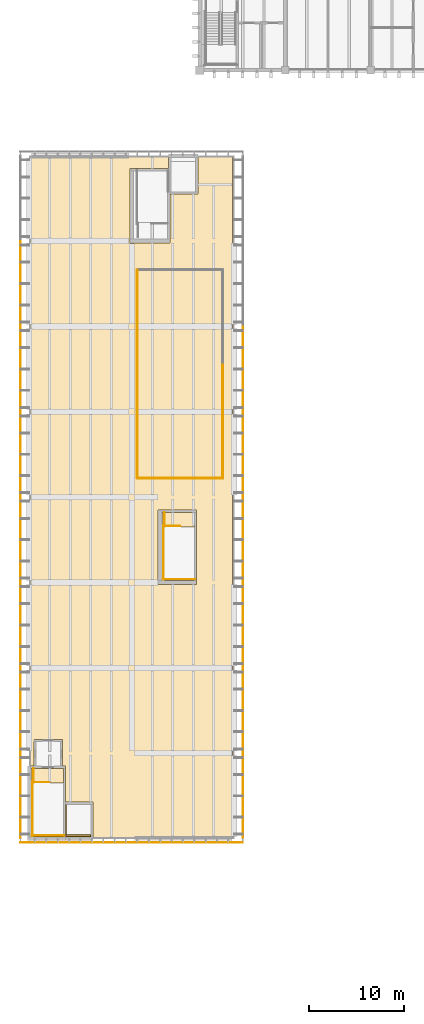
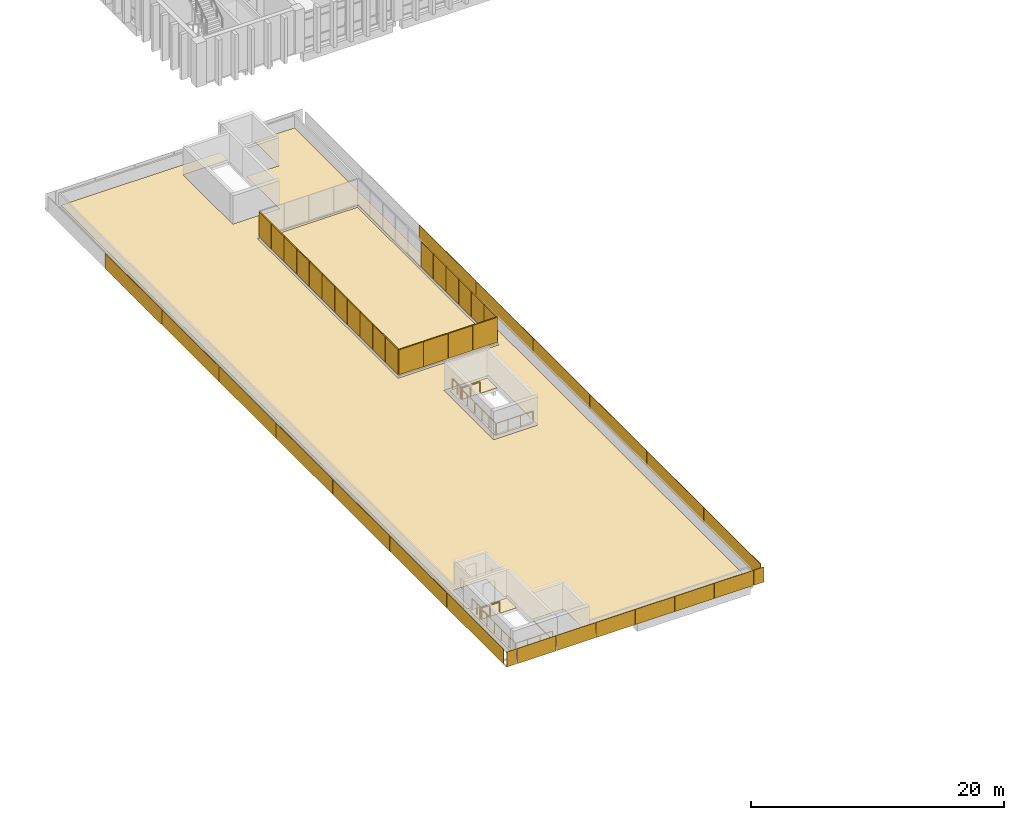
# One storey, part 24 of 29: 26 coverings, 21 shading devices, 8 railings.
"""IFC4 building model written with IfcOpenShell, lengths in metres."""

from ifc_helpers import new_model, si_unit, direction, frame, origin, origin_2d, place, context, subcontext, project, spatial, polyline, rectangle, circle, outline, extrude, source, transform, mapped, material, layer, layer_set, type_object, element, save


model = new_model("IFC4")

# Units and contexts
model_context = context("Model", 3, precision=1e-05, world=origin(), true_north=direction((0.0, 1.0)))
body_context = subcontext(model_context, "Body", "Model", "MODEL_VIEW")
ifc_project = project(units=[si_unit("LENGTHUNIT", "METRE"), si_unit("AREAUNIT", "SQUARE_METRE"), si_unit("VOLUMEUNIT", "CUBIC_METRE"), si_unit("PLANEANGLEUNIT", "RADIAN"), si_unit("MASSUNIT", "GRAM", prefix="KILO")], contexts=[model_context])

# Site, building, storey
site_placement = place(None, origin())
site = spatial("IfcSite", under=ifc_project, at=site_placement, CompositionType="ELEMENT")
building_placement = place(site_placement, origin())
building = spatial("IfcBuilding", under=site, at=building_placement, Name="Merrow Basin Faculty of Sciences", CompositionType="ELEMENT")
storey_placement = place(building_placement, frame((0.0, 0.0, 22.5)))
storey = spatial("IfcBuildingStorey", under=building, at=storey_placement, Name="L05", CompositionType="ELEMENT", Elevation=22.5)

# Shading devices
ifc_material_1 = material(Name="Aluminium alloy 6063", Category="aluminium")
ifc_layer_1 = layer(ifc_material_1, 0.10009765625)
ifc_layer_set_1 = layer_set([ifc_layer_1], Name="Louvre screen 2000 x 2400")
shading_device_type = type_object("IfcShadingDeviceType", Name="Louvre screen 2000 x 2400", PredefinedType="USERDEFINED", material=ifc_layer_set_1)
for number, where, z_axis, x_axis, name in (
    (1, (12.52490234375, 99.0, 0.300048828125), (0.0, 0.0, 1.0), (1.0, 0.0, 0.0), "Plant louvre screen"),
    (2, (14.77490234375, 99.0, 0.300048828125), (0.0, 0.0, 1.0), (1.0, 0.0, 0.0), "Plant louvre screen"),
    (3, (17.02490234375, 99.0, 0.300048828125), (0.0, 0.0, 1.0), (1.0, 0.0, 0.0), "Plant louvre screen"),
    (4, (19.27490234375, 99.0, 0.300048828125), (0.0, 0.0, 1.0), (1.0, 0.0, 0.0), "Plant louvre screen"),
):
    element("IfcShadingDevice", number, at=place(storey_placement, frame(where, z_axis=z_axis, x_axis=x_axis)), inside=storey, type_object=shading_device_type, Name=name, ObjectType="LOUVRE SCREEN", PredefinedType="USERDEFINED", context=body_context, shape_type="SweptSolid", body=[
        extrude(rectangle(XDim=2.2099609375, YDim=0.10009765625, at=origin_2d()), origin(), (0.0, 0.0, 1.0), 2.39990234375),
    ])
for number, where, z_axis, x_axis, name in (
    (5, (20.39990234375, 100.0, 0.300048828125), (0.0, 0.0, 1.0), (0.0, 1.0, 0.0), "Plant louvre screen"),
    (6, (20.39990234375, 102.0, 0.300048828125), (0.0, 0.0, 1.0), (0.0, 1.0, 0.0), "Plant louvre screen"),
    (7, (20.39990234375, 104.0, 0.300048828125), (0.0, 0.0, 1.0), (0.0, 1.0, 0.0), "Plant louvre screen"),
    (8, (20.39990234375, 106.0, 0.300048828125), (0.0, 0.0, 1.0), (0.0, 1.0, 0.0), "Plant louvre screen"),
    (9, (20.39990234375, 108.0, 0.300048828125), (0.0, 0.0, 1.0), (0.0, 1.0, 0.0), "Plant louvre screen"),
    (10, (20.39990234375, 110.0, 0.300048828125), (0.0, 0.0, 1.0), (0.0, 1.0, 0.0), "Plant louvre screen"),
    (11, (11.39990234375, 120.0, 0.300048828125), (0.0, 0.0, 1.0), (0.0, 1.0, 0.0), "Plant louvre screen"),
    (12, (11.39990234375, 118.0, 0.300048828125), (0.0, 0.0, 1.0), (0.0, 1.0, 0.0), "Plant louvre screen"),
    (13, (11.39990234375, 116.0, 0.300048828125), (0.0, 0.0, 1.0), (0.0, 1.0, 0.0), "Plant louvre screen"),
    (14, (11.39990234375, 114.0, 0.300048828125), (0.0, 0.0, 1.0), (0.0, 1.0, 0.0), "Plant louvre screen"),
    (15, (11.39990234375, 112.0, 0.300048828125), (0.0, 0.0, 1.0), (0.0, 1.0, 0.0), "Plant louvre screen"),
    (16, (11.39990234375, 110.0, 0.300048828125), (0.0, 0.0, 1.0), (0.0, 1.0, 0.0), "Plant louvre screen"),
    (17, (11.39990234375, 108.0, 0.300048828125), (0.0, 0.0, 1.0), (0.0, 1.0, 0.0), "Plant louvre screen"),
    (18, (11.39990234375, 106.0, 0.300048828125), (0.0, 0.0, 1.0), (0.0, 1.0, 0.0), "Plant louvre screen"),
    (19, (11.39990234375, 104.0, 0.300048828125), (0.0, 0.0, 1.0), (0.0, 1.0, 0.0), "Plant louvre screen"),
    (20, (11.39990234375, 102.0, 0.300048828125), (0.0, 0.0, 1.0), (0.0, 1.0, 0.0), "Plant louvre screen"),
    (21, (11.39990234375, 100.0, 0.300048828125), (0.0, 0.0, 1.0), (0.0, 1.0, 0.0), "Plant louvre screen"),
):
    element("IfcShadingDevice", number, at=place(storey_placement, frame(where, z_axis=z_axis, x_axis=x_axis)), inside=storey, type_object=shading_device_type, Name=name, ObjectType="LOUVRE SCREEN", PredefinedType="USERDEFINED", context=body_context, shape_type="SweptSolid", body=[
        extrude(rectangle(XDim=1.9599609375, YDim=0.10009765625, at=origin_2d()), origin(), (0.0, 0.0, 1.0), 2.39990234375),
    ])

# Coverings
ifc_material_2 = material(Name="Bituminous roofing membrane")
ifc_layer_2 = layer(ifc_material_2, 0.0400390625)
ifc_layer_set_2 = layer_set([ifc_layer_2], Name="Roofing membrane 40")
covering_type_1 = type_object("IfcCoveringType", Name="Roofing membrane 40", PredefinedType="ROOFING", material=ifc_layer_set_2)
covering_1_placement = place(storey_placement, origin())
element("IfcCovering", 22, at=covering_1_placement, inside=storey, type_object=covering_type_1, Name="Roofing membrane", PredefinedType="ROOFING", context=body_context, shape_type="SweptSolid", body=[
    extrude(outline(polyline([(21.449951171875, 132.85009765625), (21.449951171875, 61.14990234375), (6.75, 61.14990234375), (6.75, 61.199951171875), (6.75, 64.60009765625), (6.75, 64.85009765625), (3.85009765625, 64.85009765625), (3.85009765625, 68.39990234375), (3.85009765625, 68.64990234375), (3.5, 68.64990234375), (3.5, 71.25), (3.5, 71.449951171875), (0.5, 71.449951171875), (0.5, 71.25), (0.5, 68.64990234375), (0.199951171875, 68.64990234375), (0.14990234375, 68.64990234375), (0.14990234375, 132.85009765625), (14.699951171875, 132.85009765625), (14.699951171875, 132.800048828125), (14.699951171875, 131.64990234375), (11.0, 131.64990234375), (10.800048828125, 131.64990234375), (10.60009765625, 131.64990234375), (10.60009765625, 124.199951171875), (10.60009765625, 123.800048828125), (14.85009765625, 123.800048828125), (14.85009765625, 124.199951171875), (14.85009765625, 128.949951171875), (17.800048828125, 128.949951171875), (17.800048828125, 129.199951171875), (17.800048828125, 132.800048828125), (17.800048828125, 132.85009765625), (21.449951171875, 132.85009765625)]), holes=[polyline([(14.0, 95.64990234375), (13.949951171875, 95.64990234375), (13.60009765625, 95.64990234375), (13.60009765625, 88.199951171875), (13.60009765625, 87.800048828125), (17.64990234375, 87.800048828125), (17.64990234375, 88.199951171875), (17.64990234375, 95.39990234375), (17.64990234375, 95.64990234375), (14.0, 95.64990234375)]), polyline([(11.300048828125, 121.10009765625), (11.300048828125, 98.89990234375), (20.5, 98.89990234375), (20.5, 121.10009765625), (11.300048828125, 121.10009765625)])]), origin(), (0.0, 0.0, 1.0), 0.0400390625),
])
covering_2_placement = place(storey_placement, origin())
element("IfcCovering", 23, at=covering_2_placement, inside=storey, type_object=covering_type_1, Name="Roofing membrane", PredefinedType="ROOFING", context=body_context, shape_type="SweptSolid", body=[
    extrude(outline(polyline([(11.5, 120.89990234375), (20.300048828125, 120.89990234375), (20.300048828125, 99.10009765625), (11.5, 99.10009765625), (11.5, 120.89990234375)])), origin(), (0.0, 0.0, 1.0), 0.0400390625),
])
covering_3_placement = place(storey_placement, origin())
element("IfcCovering", 24, at=covering_3_placement, inside=storey, type_object=covering_type_1, Name="Roofing membrane", PredefinedType="ROOFING", context=body_context, shape_type="SweptSolid", body=[
    extrude(outline(polyline([(14.0, 95.39990234375), (17.39990234375, 95.39990234375), (17.39990234375, 93.85009765625), (14.199951171875, 93.85009765625), (14.199951171875, 88.39990234375), (17.39990234375, 88.39990234375), (17.39990234375, 88.199951171875), (14.0, 88.199951171875), (14.0, 95.39990234375)])), origin(), (0.0, 0.0, 1.0), 0.0400390625),
])
covering_4_placement = place(storey_placement, origin())
element("IfcCovering", 25, at=covering_4_placement, inside=storey, type_object=covering_type_1, Name="Roofing membrane", PredefinedType="ROOFING", context=body_context, shape_type="SweptSolid", body=[
    extrude(outline(polyline([(0.39990234375, 61.39990234375), (3.60009765625, 61.39990234375), (3.60009765625, 61.199951171875), (0.199951171875, 61.199951171875), (0.199951171875, 68.39990234375), (3.60009765625, 68.39990234375), (3.60009765625, 66.85009765625), (0.39990234375, 66.85009765625), (0.39990234375, 61.39990234375)])), origin(), (0.0, 0.0, 1.0), 0.0400390625),
])
covering_5_placement = place(storey_placement, origin())
element("IfcCovering", 26, at=covering_5_placement, inside=storey, type_object=covering_type_1, Name="Roofing membrane", PredefinedType="ROOFING", context=body_context, shape_type="SweptSolid", body=[
    extrude(outline(polyline([(3.89990234375, 61.39990234375), (6.5, 61.39990234375), (6.5, 61.199951171875), (3.85009765625, 61.199951171875), (3.85009765625, 64.60009765625), (3.89990234375, 64.60009765625), (3.89990234375, 61.39990234375)])), origin(), (0.0, 0.0, 1.0), 0.0400390625),
])

# Railings
ifc_material_3 = material(Name="Steel ASTM A36", Category="steel")
railing_type = type_object("IfcRailingType", Name="Steel guard 1100", PredefinedType="GUARDRAIL", material=ifc_material_3)
railing_1_placement = place(storey_placement, frame((0.39990234375, 66.949951171875, 0.0)))
element("IfcRailing", 27, at=railing_1_placement, inside=storey, type_object=railing_type, Name="L05 ST-V4-S top well guard 1", PredefinedType="GUARDRAIL", context=body_context, shape_type="SweptSolid", body=[
    extrude(circle(Radius=0.02392578125, at=origin_2d()), frame((0.0, 0.0, 1.076171875), z_axis=(1.0, 0.0, 0.0), x_axis=(0.0, 1.0, 0.0)), (0.0, 0.0, 1.0), 1.7001953125),
    extrude(circle(Radius=0.02099609375, at=origin_2d()), origin(), (0.0, 0.0, 1.0), 1.052001953125),
    extrude(circle(Radius=0.02099609375, at=origin_2d()), frame((0.85009765625, 0.0, 0.0)), (0.0, 0.0, 1.0), 1.052001953125),
    extrude(circle(Radius=0.02099609375, at=origin_2d()), frame((1.7001953125, 0.0, 0.0)), (0.0, 0.0, 1.0), 1.052001953125),
])
railing_2_placement = place(storey_placement, frame((0.35009765625, 67.0, 0.0)))
element("IfcRailing", 28, at=railing_2_placement, inside=storey, type_object=railing_type, Name="L05 ST-V4-S top well guard 2", PredefinedType="GUARDRAIL", context=body_context, shape_type="SweptSolid", body=[
    extrude(circle(Radius=0.02392578125, at=origin_2d()), frame((0.0, 0.0, 1.076171875), z_axis=(0.0, -1.0, 0.0), x_axis=(1.0, 0.0, 0.0)), (0.0, 0.0, 1.0), 5.699951171875),
    extrude(circle(Radius=0.02099609375, at=origin_2d()), origin(), (0.0, 0.0, 1.0), 1.052001953125),
    extrude(circle(Radius=0.02099609375, at=origin_2d()), frame((0.0, -1.139892578125, 0.0)), (0.0, 0.0, 1.0), 1.052001953125),
    extrude(circle(Radius=0.02099609375, at=origin_2d()), frame((0.0, -2.280029296875, 0.0)), (0.0, 0.0, 1.0), 1.052001953125),
    extrude(circle(Radius=0.02099609375, at=origin_2d()), frame((0.0, -3.419921875, 0.0)), (0.0, 0.0, 1.0), 1.052001953125),
    extrude(circle(Radius=0.02099609375, at=origin_2d()), frame((0.0, -4.56005859375, 0.0)), (0.0, 0.0, 1.0), 1.052001953125),
    extrude(circle(Radius=0.02099609375, at=origin_2d()), frame((0.0, -5.699951171875, 0.0)), (0.0, 0.0, 1.0), 1.052001953125),
])
railing_3_placement = place(storey_placement, frame((0.300048828125, 61.35009765625, 0.0)))
element("IfcRailing", 29, at=railing_3_placement, inside=storey, type_object=railing_type, Name="L05 ST-V4-S top well guard 3", PredefinedType="GUARDRAIL", context=body_context, shape_type="SweptSolid", body=[
    extrude(circle(Radius=0.02392578125, at=origin_2d()), frame((0.0, 0.0, 1.076171875), z_axis=(1.0, 0.0, 0.0), x_axis=(0.0, 1.0, 0.0)), (0.0, 0.0, 1.0), 3.39990234375),
    extrude(circle(Radius=0.02099609375, at=origin_2d()), origin(), (0.0, 0.0, 1.0), 1.052001953125),
    extrude(circle(Radius=0.02099609375, at=origin_2d()), frame((1.13330078125, 0.0, 0.0)), (0.0, 0.0, 1.0), 1.052001953125),
    extrude(circle(Radius=0.02099609375, at=origin_2d()), frame((2.2666015625, 0.0, 0.0)), (0.0, 0.0, 1.0), 1.052001953125),
    extrude(circle(Radius=0.02099609375, at=origin_2d()), frame((3.39990234375, 0.0, 0.0)), (0.0, 0.0, 1.0), 1.052001953125),
])
railing_4_placement = place(storey_placement, frame((0.449951171875, 68.39990234375, 0.0)))
element("IfcRailing", 30, at=railing_4_placement, inside=storey, type_object=railing_type, Name="L05 ST-V4-S top well guard 4", PredefinedType="GUARDRAIL", context=body_context, shape_type="SweptSolid", body=[
    extrude(circle(Radius=0.02392578125, at=origin_2d()), frame((0.0, 0.0, 1.076171875), z_axis=(0.0, -1.0, 0.0), x_axis=(1.0, 0.0, 0.0)), (0.0, 0.0, 1.0), 1.5),
    extrude(circle(Radius=0.02099609375, at=origin_2d()), origin(), (0.0, 0.0, 1.0), 1.052001953125),
    extrude(circle(Radius=0.02099609375, at=origin_2d()), frame((0.0, -0.75, 0.0)), (0.0, 0.0, 1.0), 1.052001953125),
    extrude(circle(Radius=0.02099609375, at=origin_2d()), frame((0.0, -1.5, 0.0)), (0.0, 0.0, 1.0), 1.052001953125),
])
railing_5_placement = place(storey_placement, frame((14.199951171875, 93.949951171875, 0.0)))
element("IfcRailing", 31, at=railing_5_placement, inside=storey, type_object=railing_type, Name="L05 ST-V4-M top well guard 1", PredefinedType="GUARDRAIL", context=body_context, shape_type="SweptSolid", body=[
    extrude(circle(Radius=0.02392578125, at=origin_2d()), frame((0.0, 0.0, 1.076171875), z_axis=(1.0, 0.0, 0.0), x_axis=(0.0, 1.0, 0.0)), (0.0, 0.0, 1.0), 1.699951171875),
    extrude(circle(Radius=0.02099609375, at=origin_2d()), origin(), (0.0, 0.0, 1.0), 1.052001953125),
    extrude(circle(Radius=0.02099609375, at=origin_2d()), frame((0.85009765625, 0.0, 0.0)), (0.0, 0.0, 1.0), 1.052001953125),
    extrude(circle(Radius=0.02099609375, at=origin_2d()), frame((1.699951171875, 0.0, 0.0)), (0.0, 0.0, 1.0), 1.052001953125),
])
railing_6_placement = place(storey_placement, frame((14.14990234375, 94.0, 0.0)))
element("IfcRailing", 32, at=railing_6_placement, inside=storey, type_object=railing_type, Name="L05 ST-V4-M top well guard 2", PredefinedType="GUARDRAIL", context=body_context, shape_type="SweptSolid", body=[
    extrude(circle(Radius=0.02392578125, at=origin_2d()), frame((0.0, 0.0, 1.076171875), z_axis=(0.0, -1.0, 0.0), x_axis=(1.0, 0.0, 0.0)), (0.0, 0.0, 1.0), 5.699951171875),
    extrude(circle(Radius=0.02099609375, at=origin_2d()), origin(), (0.0, 0.0, 1.0), 1.052001953125),
    extrude(circle(Radius=0.02099609375, at=origin_2d()), frame((0.0, -1.139892578125, 0.0)), (0.0, 0.0, 1.0), 1.052001953125),
    extrude(circle(Radius=0.02099609375, at=origin_2d()), frame((0.0, -2.280029296875, 0.0)), (0.0, 0.0, 1.0), 1.052001953125),
    extrude(circle(Radius=0.02099609375, at=origin_2d()), frame((0.0, -3.419921875, 0.0)), (0.0, 0.0, 1.0), 1.052001953125),
    extrude(circle(Radius=0.02099609375, at=origin_2d()), frame((0.0, -4.56005859375, 0.0)), (0.0, 0.0, 1.0), 1.052001953125),
    extrude(circle(Radius=0.02099609375, at=origin_2d()), frame((0.0, -5.699951171875, 0.0)), (0.0, 0.0, 1.0), 1.052001953125),
])
railing_7_placement = place(storey_placement, frame((14.10009765625, 88.35009765625, 0.0)))
element("IfcRailing", 33, at=railing_7_placement, inside=storey, type_object=railing_type, Name="L05 ST-V4-M top well guard 3", PredefinedType="GUARDRAIL", context=body_context, shape_type="SweptSolid", body=[
    extrude(circle(Radius=0.02392578125, at=origin_2d()), frame((0.0, 0.0, 1.076171875), z_axis=(1.0, 0.0, 0.0), x_axis=(0.0, 1.0, 0.0)), (0.0, 0.0, 1.0), 3.39990234375),
    extrude(circle(Radius=0.02099609375, at=origin_2d()), origin(), (0.0, 0.0, 1.0), 1.052001953125),
    extrude(circle(Radius=0.02099609375, at=origin_2d()), frame((1.13330078125, 0.0, 0.0)), (0.0, 0.0, 1.0), 1.052001953125),
    extrude(circle(Radius=0.02099609375, at=origin_2d()), frame((2.2666015625, 0.0, 0.0)), (0.0, 0.0, 1.0), 1.052001953125),
    extrude(circle(Radius=0.02099609375, at=origin_2d()), frame((3.39990234375, 0.0, 0.0)), (0.0, 0.0, 1.0), 1.052001953125),
])
railing_8_placement = place(storey_placement, frame((14.25, 95.39990234375, 0.0)))
element("IfcRailing", 34, at=railing_8_placement, inside=storey, type_object=railing_type, Name="L05 ST-V4-M top well guard 4", PredefinedType="GUARDRAIL", context=body_context, shape_type="SweptSolid", body=[
    extrude(circle(Radius=0.02392578125, at=origin_2d()), frame((0.0, 0.0, 1.076171875), z_axis=(0.0, -1.0, 0.0), x_axis=(1.0, 0.0, 0.0)), (0.0, 0.0, 1.0), 1.5),
    extrude(circle(Radius=0.02099609375, at=origin_2d()), origin(), (0.0, 0.0, 1.0), 1.052001953125),
    extrude(circle(Radius=0.02099609375, at=origin_2d()), frame((0.0, -0.75, 0.0)), (0.0, 0.0, 1.0), 1.052001953125),
    extrude(circle(Radius=0.02099609375, at=origin_2d()), frame((0.0, -1.5, 0.0)), (0.0, 0.0, 1.0), 1.052001953125),
])

# Coverings
ifc_material_4 = material(Name="White powder-coated aluminium", Category="aluminium")
ifc_layer_3 = layer(ifc_material_4, 0.0400390625)
ifc_layer_set_3 = layer_set([ifc_layer_3], Name="Perforated panel 9000 x 1500")
covering_type_2 = type_object("IfcCoveringType", Name="Perforated panel 9000 x 1500", PredefinedType="CLADDING", material=ifc_layer_set_3)
shared_shape_1 = source(origin(), body_context, "Body", "SweptSolid", [
    extrude(outline(polyline([(0.02001953125, 0.02001953125), (8.97998046875, 0.02001953125), (8.97998046875, 1.47998046875), (0.02001953125, 1.47998046875), (0.02001953125, 0.02001953125)])), origin(), (0.0, 0.0, 1.0), 0.0400390625),
])
covering_6_placement = place(storey_placement, frame((-0.93994140625, 61.0, -0.320068359375), z_axis=(1.0, 0.0, 0.0), x_axis=(0.0, 1.0, 0.0)))
element("IfcCovering", 35, at=covering_6_placement, inside=storey, type_object=covering_type_2, Name="Perforated panel WL05-01", PredefinedType="CLADDING", context=body_context, shape_type="MappedRepresentation", body=[
    mapped(shared_shape_1, transform((0.0, 0.0, 0.0), scale=1.0)),
])
shared_shape_2 = source(origin(), body_context, "Body", "SweptSolid", [
    extrude(outline(polyline([(0.02001953125, 0.02001953125), (8.97998046875, 0.02001953125), (8.97998046875, 1.47998046875), (0.02001953125, 1.47998046875), (0.02001953125, 0.02001953125)])), origin(), (0.0, 0.0, 1.0), 0.0400390625),
])
covering_7_placement = place(storey_placement, frame((22.5400390625, 70.0, -0.320068359375), z_axis=(-1.0, 0.0, 0.0), x_axis=(0.0, -1.0, 0.0)))
element("IfcCovering", 36, at=covering_7_placement, inside=storey, type_object=covering_type_2, Name="Perforated panel EL05-01", PredefinedType="CLADDING", context=body_context, shape_type="MappedRepresentation", body=[
    mapped(shared_shape_2, transform((0.0, 0.0, 0.0), scale=1.0)),
])
shared_shape_3 = source(origin(), body_context, "Body", "SweptSolid", [
    extrude(outline(polyline([(0.02001953125, 0.02001953125), (8.97998046875, 0.02001953125), (8.97998046875, 1.47998046875), (0.02001953125, 1.47998046875), (0.02001953125, 0.02001953125)])), origin(), (0.0, 0.0, 1.0), 0.0400390625),
])
covering_8_placement = place(storey_placement, frame((-0.93994140625, 70.0, -0.320068359375), z_axis=(1.0, 0.0, 0.0), x_axis=(0.0, 1.0, 0.0)))
element("IfcCovering", 37, at=covering_8_placement, inside=storey, type_object=covering_type_2, Name="Perforated panel WL05-02", PredefinedType="CLADDING", context=body_context, shape_type="MappedRepresentation", body=[
    mapped(shared_shape_3, transform((0.0, 0.0, 0.0), scale=1.0)),
])
shared_shape_4 = source(origin(), body_context, "Body", "SweptSolid", [
    extrude(outline(polyline([(0.02001953125, 0.02001953125), (8.97998046875, 0.02001953125), (8.97998046875, 1.47998046875), (0.02001953125, 1.47998046875), (0.02001953125, 0.02001953125)])), origin(), (0.0, 0.0, 1.0), 0.0400390625),
])
covering_9_placement = place(storey_placement, frame((22.5400390625, 79.0, -0.320068359375), z_axis=(-1.0, 0.0, 0.0), x_axis=(0.0, -1.0, 0.0)))
element("IfcCovering", 38, at=covering_9_placement, inside=storey, type_object=covering_type_2, Name="Perforated panel EL05-02", PredefinedType="CLADDING", context=body_context, shape_type="MappedRepresentation", body=[
    mapped(shared_shape_4, transform((0.0, 0.0, 0.0), scale=1.0)),
])
shared_shape_5 = source(origin(), body_context, "Body", "SweptSolid", [
    extrude(outline(polyline([(0.02001953125, 0.02001953125), (8.97998046875, 0.02001953125), (8.97998046875, 1.47998046875), (0.02001953125, 1.47998046875), (0.02001953125, 0.02001953125)])), origin(), (0.0, 0.0, 1.0), 0.0400390625),
])
covering_10_placement = place(storey_placement, frame((-0.93994140625, 79.0, -0.320068359375), z_axis=(1.0, 0.0, 0.0), x_axis=(0.0, 1.0, 0.0)))
element("IfcCovering", 39, at=covering_10_placement, inside=storey, type_object=covering_type_2, Name="Perforated panel WL05-03", PredefinedType="CLADDING", context=body_context, shape_type="MappedRepresentation", body=[
    mapped(shared_shape_5, transform((0.0, 0.0, 0.0), scale=1.0)),
])
shared_shape_6 = source(origin(), body_context, "Body", "SweptSolid", [
    extrude(outline(polyline([(0.02001953125, 0.02001953125), (8.97998046875, 0.02001953125), (8.97998046875, 1.47998046875), (0.02001953125, 1.47998046875), (0.02001953125, 0.02001953125)])), origin(), (0.0, 0.0, 1.0), 0.0400390625),
])
covering_11_placement = place(storey_placement, frame((22.5400390625, 88.0, -0.320068359375), z_axis=(-1.0, 0.0, 0.0), x_axis=(0.0, -1.0, 0.0)))
element("IfcCovering", 40, at=covering_11_placement, inside=storey, type_object=covering_type_2, Name="Perforated panel EL05-03", PredefinedType="CLADDING", context=body_context, shape_type="MappedRepresentation", body=[
    mapped(shared_shape_6, transform((0.0, 0.0, 0.0), scale=1.0)),
])
shared_shape_7 = source(origin(), body_context, "Body", "SweptSolid", [
    extrude(outline(polyline([(0.02001953125, 0.02001953125), (8.97998046875, 0.02001953125), (8.97998046875, 1.47998046875), (0.02001953125, 1.47998046875), (0.02001953125, 0.02001953125)])), origin(), (0.0, 0.0, 1.0), 0.0400390625),
])
covering_12_placement = place(storey_placement, frame((-0.93994140625, 88.0, -0.320068359375), z_axis=(1.0, 0.0, 0.0), x_axis=(0.0, 1.0, 0.0)))
element("IfcCovering", 41, at=covering_12_placement, inside=storey, type_object=covering_type_2, Name="Perforated panel WL05-04", PredefinedType="CLADDING", context=body_context, shape_type="MappedRepresentation", body=[
    mapped(shared_shape_7, transform((0.0, 0.0, 0.0), scale=1.0)),
])
shared_shape_8 = source(origin(), body_context, "Body", "SweptSolid", [
    extrude(outline(polyline([(0.02001953125, 0.02001953125), (8.97998046875, 0.02001953125), (8.97998046875, 1.47998046875), (0.02001953125, 1.47998046875), (0.02001953125, 0.02001953125)])), origin(), (0.0, 0.0, 1.0), 0.0400390625),
])
covering_13_placement = place(storey_placement, frame((22.5400390625, 97.0, -0.320068359375), z_axis=(-1.0, 0.0, 0.0), x_axis=(0.0, -1.0, 0.0)))
element("IfcCovering", 42, at=covering_13_placement, inside=storey, type_object=covering_type_2, Name="Perforated panel EL05-04", PredefinedType="CLADDING", context=body_context, shape_type="MappedRepresentation", body=[
    mapped(shared_shape_8, transform((0.0, 0.0, 0.0), scale=1.0)),
])
shared_shape_9 = source(origin(), body_context, "Body", "SweptSolid", [
    extrude(outline(polyline([(0.02001953125, 0.02001953125), (8.97998046875, 0.02001953125), (8.97998046875, 1.47998046875), (0.02001953125, 1.47998046875), (0.02001953125, 0.02001953125)])), origin(), (0.0, 0.0, 1.0), 0.0400390625),
])
covering_14_placement = place(storey_placement, frame((-0.93994140625, 97.0, -0.320068359375), z_axis=(1.0, 0.0, 0.0), x_axis=(0.0, 1.0, 0.0)))
element("IfcCovering", 43, at=covering_14_placement, inside=storey, type_object=covering_type_2, Name="Perforated panel WL05-05", PredefinedType="CLADDING", context=body_context, shape_type="MappedRepresentation", body=[
    mapped(shared_shape_9, transform((0.0, 0.0, 0.0), scale=1.0)),
])
shared_shape_10 = source(origin(), body_context, "Body", "SweptSolid", [
    extrude(outline(polyline([(0.02001953125, 0.02001953125), (8.97998046875, 0.02001953125), (8.97998046875, 1.47998046875), (0.02001953125, 1.47998046875), (0.02001953125, 0.02001953125)])), origin(), (0.0, 0.0, 1.0), 0.0400390625),
])
covering_15_placement = place(storey_placement, frame((22.5400390625, 106.0, -0.320068359375), z_axis=(-1.0, 0.0, 0.0), x_axis=(0.0, -1.0, 0.0)))
element("IfcCovering", 44, at=covering_15_placement, inside=storey, type_object=covering_type_2, Name="Perforated panel EL05-05", PredefinedType="CLADDING", context=body_context, shape_type="MappedRepresentation", body=[
    mapped(shared_shape_10, transform((0.0, 0.0, 0.0), scale=1.0)),
])
shared_shape_11 = source(origin(), body_context, "Body", "SweptSolid", [
    extrude(outline(polyline([(0.02001953125, 0.02001953125), (8.97998046875, 0.02001953125), (8.97998046875, 1.47998046875), (0.02001953125, 1.47998046875), (0.02001953125, 0.02001953125)])), origin(), (0.0, 0.0, 1.0), 0.0400390625),
])
covering_16_placement = place(storey_placement, frame((-0.93994140625, 106.0, -0.320068359375), z_axis=(1.0, 0.0, 0.0), x_axis=(0.0, 1.0, 0.0)))
element("IfcCovering", 45, at=covering_16_placement, inside=storey, type_object=covering_type_2, Name="Perforated panel WL05-06", PredefinedType="CLADDING", context=body_context, shape_type="MappedRepresentation", body=[
    mapped(shared_shape_11, transform((0.0, 0.0, 0.0), scale=1.0)),
])
shared_shape_12 = source(origin(), body_context, "Body", "SweptSolid", [
    extrude(outline(polyline([(0.02001953125, 0.02001953125), (8.97998046875, 0.02001953125), (8.97998046875, 1.47998046875), (0.02001953125, 1.47998046875), (0.02001953125, 0.02001953125)])), origin(), (0.0, 0.0, 1.0), 0.0400390625),
])
covering_17_placement = place(storey_placement, frame((22.5400390625, 115.0, -0.320068359375), z_axis=(-1.0, 0.0, 0.0), x_axis=(0.0, -1.0, 0.0)))
element("IfcCovering", 46, at=covering_17_placement, inside=storey, type_object=covering_type_2, Name="Perforated panel EL05-06", PredefinedType="CLADDING", context=body_context, shape_type="MappedRepresentation", body=[
    mapped(shared_shape_12, transform((0.0, 0.0, 0.0), scale=1.0)),
])
shared_shape_13 = source(origin(), body_context, "Body", "SweptSolid", [
    extrude(outline(polyline([(0.02001953125, 0.02001953125), (8.97998046875, 0.02001953125), (8.97998046875, 1.47998046875), (0.02001953125, 1.47998046875), (0.02001953125, 0.02001953125)])), origin(), (0.0, 0.0, 1.0), 0.0400390625),
])
covering_18_placement = place(storey_placement, frame((-0.93994140625, 115.0, -0.320068359375), z_axis=(1.0, 0.0, 0.0), x_axis=(0.0, 1.0, 0.0)))
element("IfcCovering", 47, at=covering_18_placement, inside=storey, type_object=covering_type_2, Name="Perforated panel WL05-07", PredefinedType="CLADDING", context=body_context, shape_type="MappedRepresentation", body=[
    mapped(shared_shape_13, transform((0.0, 0.0, 0.0), scale=1.0)),
])
ifc_material_5 = material(Name="White powder-coated aluminium", Category="aluminium")
ifc_layer_4 = layer(ifc_material_5, 0.0400390625)
ifc_layer_set_4 = layer_set([ifc_layer_4], Name="End corner panel 940 x 1500")
covering_type_3 = type_object("IfcCoveringType", Name="End corner panel 940 x 1500", PredefinedType="CLADDING", material=ifc_layer_set_4)
shared_shape_14 = source(origin(), body_context, "Body", "SweptSolid", [
    extrude(outline(polyline([(0.02001953125, 0.02001953125), (0.919921875, 0.02001953125), (0.919921875, 1.47998046875), (0.02001953125, 1.47998046875), (0.02001953125, 0.02001953125)])), origin(), (0.0, 0.0, 1.0), 0.0400390625),
])
covering_19_placement = place(storey_placement, frame((0.0, 60.56005859375, -0.320068359375), z_axis=(0.0, 1.0, 0.0), x_axis=(-1.0, 0.0, 0.0)))
element("IfcCovering", 48, at=covering_19_placement, inside=storey, type_object=covering_type_3, Name="End panel SL05-01", PredefinedType="CLADDING", context=body_context, shape_type="MappedRepresentation", body=[
    mapped(shared_shape_14, transform((0.0, 0.0, 0.0), scale=1.0)),
])
ifc_material_6 = material(Name="White powder-coated aluminium", Category="aluminium")
ifc_layer_5 = layer(ifc_material_6, 0.0400390625)
ifc_layer_set_5 = layer_set([ifc_layer_5], Name="End panel 3600 x 1500")
covering_type_4 = type_object("IfcCoveringType", Name="End panel 3600 x 1500", PredefinedType="CLADDING", material=ifc_layer_set_5)
shared_shape_15 = source(origin(), body_context, "Body", "SweptSolid", [
    extrude(outline(polyline([(0.02001953125, 0.02001953125), (3.580078125, 0.02001953125), (3.580078125, 1.47998046875), (0.02001953125, 1.47998046875), (0.02001953125, 0.02001953125)])), origin(), (0.0, 0.0, 1.0), 0.0400390625),
])
covering_20_placement = place(storey_placement, frame((3.60009765625, 60.56005859375, -0.320068359375), z_axis=(0.0, 1.0, 0.0), x_axis=(-1.0, 0.0, 0.0)))
element("IfcCovering", 49, at=covering_20_placement, inside=storey, type_object=covering_type_4, Name="End panel SL05-02", PredefinedType="CLADDING", context=body_context, shape_type="MappedRepresentation", body=[
    mapped(shared_shape_15, transform((0.0, 0.0, 0.0), scale=1.0)),
])
shared_shape_16 = source(origin(), body_context, "Body", "SweptSolid", [
    extrude(outline(polyline([(0.02001953125, 0.02001953125), (3.580078125, 0.02001953125), (3.580078125, 1.47998046875), (0.02001953125, 1.47998046875), (0.02001953125, 0.02001953125)])), origin(), (0.0, 0.0, 1.0), 0.0400390625),
])
covering_21_placement = place(storey_placement, frame((7.199951171875, 60.56005859375, -0.320068359375), z_axis=(0.0, 1.0, 0.0), x_axis=(-1.0, 0.0, 0.0)))
element("IfcCovering", 50, at=covering_21_placement, inside=storey, type_object=covering_type_4, Name="End panel SL05-03", PredefinedType="CLADDING", context=body_context, shape_type="MappedRepresentation", body=[
    mapped(shared_shape_16, transform((0.0, 0.0, 0.0), scale=1.0)),
])
shared_shape_17 = source(origin(), body_context, "Body", "SweptSolid", [
    extrude(outline(polyline([(0.02001953125, 0.02001953125), (3.580078125, 0.02001953125), (3.580078125, 1.47998046875), (0.02001953125, 1.47998046875), (0.02001953125, 0.02001953125)])), origin(), (0.0, 0.0, 1.0), 0.0400390625),
])
covering_22_placement = place(storey_placement, frame((10.800048828125, 60.56005859375, -0.320068359375), z_axis=(0.0, 1.0, 0.0), x_axis=(-1.0, 0.0, 0.0)))
element("IfcCovering", 51, at=covering_22_placement, inside=storey, type_object=covering_type_4, Name="End panel SL05-04", PredefinedType="CLADDING", context=body_context, shape_type="MappedRepresentation", body=[
    mapped(shared_shape_17, transform((0.0, 0.0, 0.0), scale=1.0)),
])
shared_shape_18 = source(origin(), body_context, "Body", "SweptSolid", [
    extrude(outline(polyline([(0.02001953125, 0.02001953125), (3.580078125, 0.02001953125), (3.580078125, 1.47998046875), (0.02001953125, 1.47998046875), (0.02001953125, 0.02001953125)])), origin(), (0.0, 0.0, 1.0), 0.0400390625),
])
covering_23_placement = place(storey_placement, frame((14.39990234375, 60.56005859375, -0.320068359375), z_axis=(0.0, 1.0, 0.0), x_axis=(-1.0, 0.0, 0.0)))
element("IfcCovering", 52, at=covering_23_placement, inside=storey, type_object=covering_type_4, Name="End panel SL05-05", PredefinedType="CLADDING", context=body_context, shape_type="MappedRepresentation", body=[
    mapped(shared_shape_18, transform((0.0, 0.0, 0.0), scale=1.0)),
])
shared_shape_19 = source(origin(), body_context, "Body", "SweptSolid", [
    extrude(outline(polyline([(0.02001953125, 0.02001953125), (3.580078125, 0.02001953125), (3.580078125, 1.47998046875), (0.02001953125, 1.47998046875), (0.02001953125, 0.02001953125)])), origin(), (0.0, 0.0, 1.0), 0.0400390625),
])
covering_24_placement = place(storey_placement, frame((18.0, 60.56005859375, -0.320068359375), z_axis=(0.0, 1.0, 0.0), x_axis=(-1.0, 0.0, 0.0)))
element("IfcCovering", 53, at=covering_24_placement, inside=storey, type_object=covering_type_4, Name="End panel SL05-06", PredefinedType="CLADDING", context=body_context, shape_type="MappedRepresentation", body=[
    mapped(shared_shape_19, transform((0.0, 0.0, 0.0), scale=1.0)),
])
shared_shape_20 = source(origin(), body_context, "Body", "SweptSolid", [
    extrude(outline(polyline([(0.02001953125, 0.02001953125), (3.580078125, 0.02001953125), (3.580078125, 1.47998046875), (0.02001953125, 1.47998046875), (0.02001953125, 0.02001953125)])), origin(), (0.0, 0.0, 1.0), 0.0400390625),
])
covering_25_placement = place(storey_placement, frame((21.60009765625, 60.56005859375, -0.320068359375), z_axis=(0.0, 1.0, 0.0), x_axis=(-1.0, 0.0, 0.0)))
element("IfcCovering", 54, at=covering_25_placement, inside=storey, type_object=covering_type_4, Name="End panel SL05-07", PredefinedType="CLADDING", context=body_context, shape_type="MappedRepresentation", body=[
    mapped(shared_shape_20, transform((0.0, 0.0, 0.0), scale=1.0)),
])
shared_shape_21 = source(origin(), body_context, "Body", "SweptSolid", [
    extrude(outline(polyline([(0.02001953125, 0.02001953125), (0.919921875, 0.02001953125), (0.919921875, 1.47998046875), (0.02001953125, 1.47998046875), (0.02001953125, 0.02001953125)])), origin(), (0.0, 0.0, 1.0), 0.0400390625),
])
covering_26_placement = place(storey_placement, frame((22.5400390625, 60.56005859375, -0.320068359375), z_axis=(0.0, 1.0, 0.0), x_axis=(-1.0, 0.0, 0.0)))
element("IfcCovering", 55, at=covering_26_placement, inside=storey, type_object=covering_type_3, Name="End panel SL05-08", PredefinedType="CLADDING", context=body_context, shape_type="MappedRepresentation", body=[
    mapped(shared_shape_21, transform((0.0, 0.0, 0.0), scale=1.0)),
])

save(model, "model.ifc")
